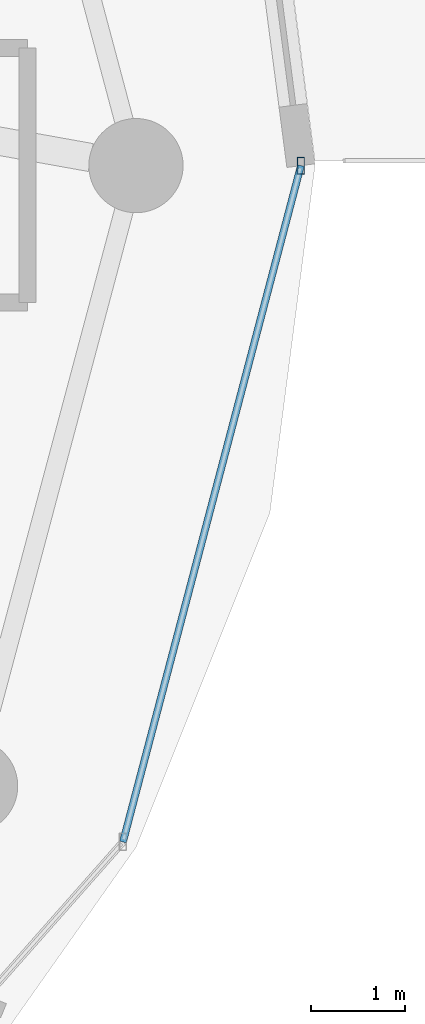
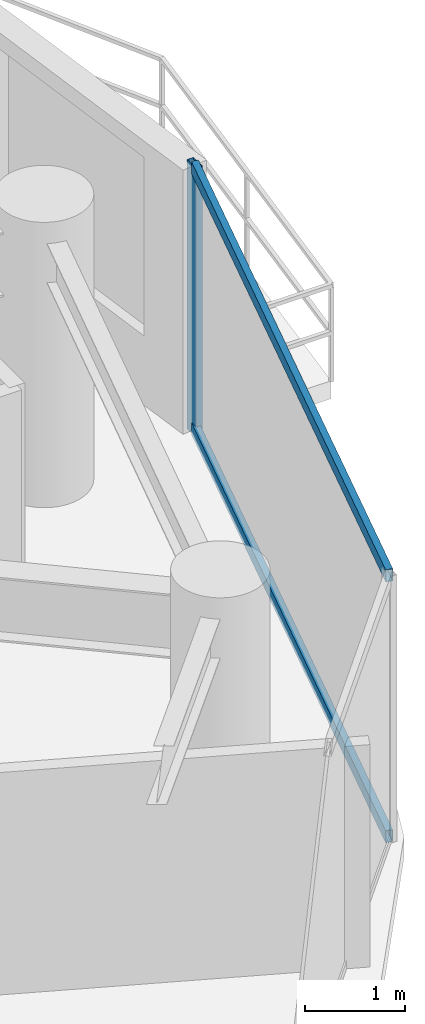
# One storey, part 14 of 28: 3 members, 1 element without a shape of its own.
"""IFC4 building model written with IfcOpenShell, lengths in metres."""

from ifc_helpers import new_model, si_unit, direction, frame, origin, origin_2d, place, context, subcontext, project, spatial, hollow_rectangle, extrude, material, material_profile, profile_set, type_object, element, aggregate, save


model = new_model("IFC4")

# Units and contexts
model_context = context("Model", 3, precision=1e-05, world=origin(), true_north=direction((0.0, 1.0)))
body_context = subcontext(model_context, "Body", "Model", "MODEL_VIEW")
ifc_project = project(units=[si_unit("LENGTHUNIT", "METRE"), si_unit("AREAUNIT", "SQUARE_METRE"), si_unit("VOLUMEUNIT", "CUBIC_METRE"), si_unit("PLANEANGLEUNIT", "RADIAN"), si_unit("MASSUNIT", "GRAM", prefix="KILO")], contexts=[model_context])

# Site, building, storey
site_placement = place(None, origin())
site = spatial("IfcSite", under=ifc_project, at=site_placement, CompositionType="ELEMENT")
building_placement = place(site_placement, origin())
building = spatial("IfcBuilding", under=site, at=building_placement, Name="Vorneva Point Tower", CompositionType="ELEMENT")
storey_placement = place(building_placement, frame((0.0, 0.0, 139.60009765625)))
storey = spatial("IfcBuildingStorey", under=building, at=storey_placement, Name="L37", CompositionType="ELEMENT", Elevation=139.60009765625)

# Curtain wall, members
ifc_material = material(Name="Pale anodised aluminium", Category="aluminium")
curtain_wall_type = type_object("IfcCurtainWallType", Name="CW-RES-SYS", PredefinedType="NOTDEFINED", material=ifc_material)
curtain_wall_placement = place(storey_placement, origin())
curtain_wall = element("IfcCurtainWall", 1, at=curtain_wall_placement, inside=storey, type_object=curtain_wall_type, Name="L37 Unitised Curtain Wall CW-L37-R04", PredefinedType="NOTDEFINED")
ifc_material_profile_1 = material_profile(ifc_material, hollow_rectangle(XDim=0.074951171875, YDim=0.179931640625, WallThickness=0.00390625, at=origin_2d()), Name="AL-MUL 180x75x4")
ifc_profile_set_1 = profile_set([ifc_material_profile_1], Name="Pale anodised aluminium")
member_type_1 = type_object("IfcMemberType", Name="CW-MUL-180", PredefinedType="MULLION", material=ifc_profile_set_1)
member_1_placement = place(storey_placement, frame((62.800048828125, 26.0, -0.0400390625), z_axis=(0.0, 0.0, 1.0), x_axis=(1.0, 0.0, 0.0)))
member_1 = element("IfcMember", 2, at=member_1_placement, type_object=member_type_1, Name="CW-L37-R04 Mullion 03", PredefinedType="MULLION", context=body_context, shape_type="SweptSolid", body=[
    extrude(hollow_rectangle(XDim=0.074951171875, YDim=0.179931640625, WallThickness=0.00390625, at=origin_2d()), origin(), (0.0, 0.0, 1.0), 3.31005859375),
])
ifc_material_profile_2 = material_profile(ifc_material, hollow_rectangle(XDim=0.074951171875, YDim=0.14990234375, WallThickness=0.00390625, at=origin_2d()), Name="AL-TRN 150x75x4")
ifc_profile_set_2 = profile_set([ifc_material_profile_2], Name="Pale anodised aluminium")
member_type_2 = type_object("IfcMemberType", Name="CW-TRN-150", PredefinedType="USERDEFINED", material=ifc_profile_set_2)
member_2_placement = place(storey_placement, frame((60.912109375, 18.82470703125, 0.02001953125), z_axis=(0.254456046293, 0.967084339913, 0.0), x_axis=(-0.967084339913, 0.254456046293, 0.0)))
member_2 = element("IfcMember", 3, at=member_2_placement, type_object=member_type_2, Name="CW-L37-R04 Transom 02.1", ObjectType="TRANSOM", PredefinedType="USERDEFINED", context=body_context, shape_type="SweptSolid", body=[
    extrude(hollow_rectangle(XDim=0.074951171875, YDim=0.14990234375, WallThickness=0.00390625, at=origin_2d()), origin(), (0.0, 0.0, 1.0), 7.41943359375),
])
member_3_placement = place(storey_placement, frame((60.912109375, 18.82470703125, 3.219970703125), z_axis=(0.254456046293, 0.967084339913, 0.0), x_axis=(-0.967084339913, 0.254456046293, 0.0)))
member_3 = element("IfcMember", 4, at=member_3_placement, type_object=member_type_2, Name="CW-L37-R04 Transom 02.2", ObjectType="TRANSOM", PredefinedType="USERDEFINED", context=body_context, shape_type="SweptSolid", body=[
    extrude(hollow_rectangle(XDim=0.074951171875, YDim=0.14990234375, WallThickness=0.00390625, at=origin_2d()), origin(), (0.0, 0.0, 1.0), 7.41943359375),
])
aggregate(curtain_wall, [member_1, member_2, member_3])

save(model, "model.ifc")
